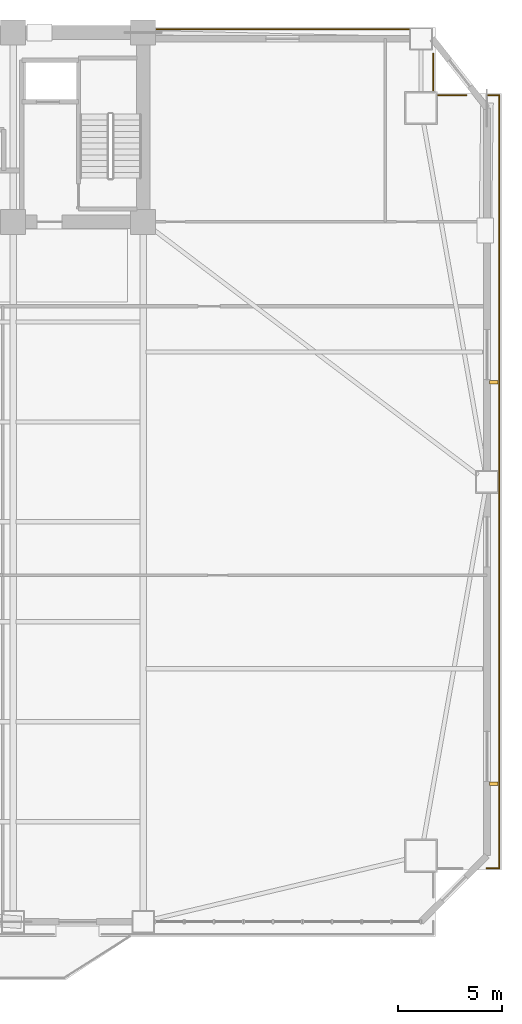
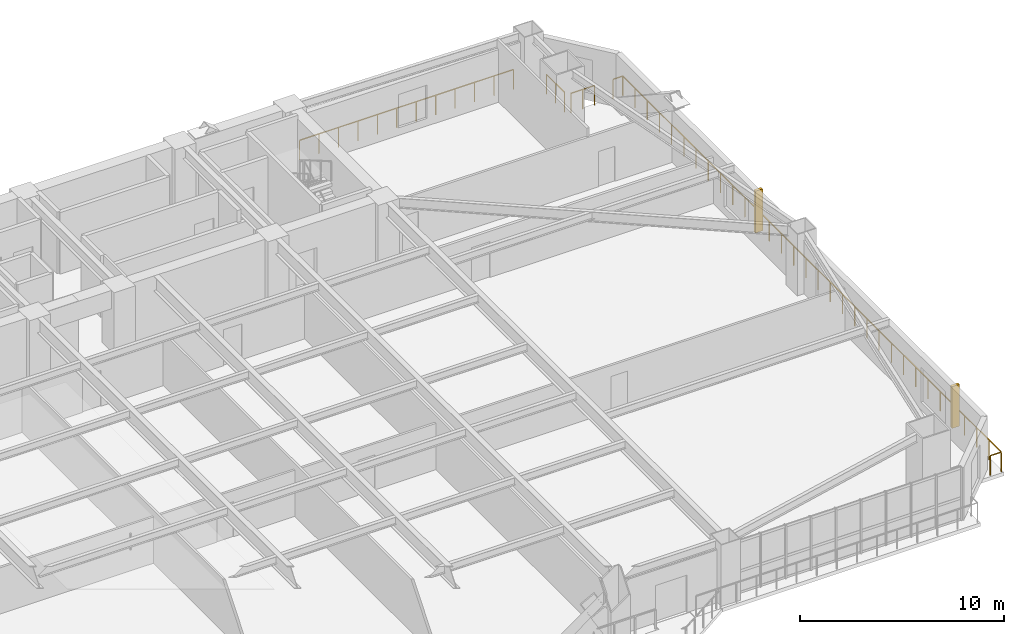
# One storey, part 17 of 17: 6 railings, 2 shading devices.
"""IFC4 building model written with IfcOpenShell, lengths in metres."""

import ifcopenshell
import ifcopenshell.guid

model = None  # the IFC model being written
_history = None  # IfcOwnerHistory: only IFC2X3 demands one
_inside = {}  # id of a spatial element -> (the spatial element, [elements in it])
_under = {}  # id of a project, library or spatial element -> (it, [spatial elements below it])
_declared = {}  # id of a project -> (the project, [libraries it declares])
_typed = {}  # id of a type object -> (the type object, [elements of that type])
_made_of = {}  # id of a material, layer set ... -> (it, [elements and type objects made of it])


def new_model(schema):
    """Start an empty IFC model of exactly this schema.

    Asked for "IFC4X3", IfcOpenShell would pick the latest addendum, in which some entities
    have other attributes; the version numbers below select the first issue.
    IFC2X3 requires an IfcOwnerHistory on every rooted entity: one is made here for all.
    """
    global model, _history
    if schema == "IFC4X3":
        model = ifcopenshell.file(schema_version=(4, 3, 0, 0))
    else:
        model = ifcopenshell.file(schema=schema)
    _inside.clear()
    _under.clear()
    _declared.clear()
    _typed.clear()
    _made_of.clear()
    _history = None
    if model.schema == "IFC2X3":
        org = make("IfcOrganization", Name="unknown")
        user = make(
            "IfcPersonAndOrganization",
            ThePerson=make("IfcPerson", FamilyName="unknown"),
            TheOrganization=org,
        )
        app = make(
            "IfcApplication",
            ApplicationDeveloper=org,
            Version="unknown",
            ApplicationFullName="unknown",
            ApplicationIdentifier="unknown",
        )
        _history = make(
            "IfcOwnerHistory",
            OwningUser=user,
            OwningApplication=app,
            ChangeAction="ADDED",
            CreationDate=0,
        )
    return model


def make(cls, **values):
    """One entity of the class cls with the attributes given. An attribute that is None is left unset."""
    return model.create_entity(
        cls, **{name: value for name, value in values.items() if value is not None}
    )


def rooted(cls, **values):
    """An entity with a GlobalId (a new one), such as an element, a storey or a relation."""
    return make(cls, GlobalId=ifcopenshell.guid.new(), OwnerHistory=_history, **values)


def si_unit(unit_type, name, prefix=None):
    """IfcSIUnit, for example si_unit("LENGTHUNIT", "METRE", prefix="MILLI")."""
    return make("IfcSIUnit", UnitType=unit_type, Prefix=prefix, Name=name)


def assignment(units):
    """IfcUnitAssignment: the units of a project."""
    return None if units is None else make("IfcUnitAssignment", Units=units)


def point(xyz):
    """IfcCartesianPoint."""
    return None if xyz is None else make("IfcCartesianPoint", Coordinates=xyz)


def direction(xyz):
    """IfcDirection."""
    return None if xyz is None else make("IfcDirection", DirectionRatios=xyz)


def frame(location, z_axis=None, x_axis=None):
    """IfcAxis2Placement3D, a coordinate frame: its origin and axes. An axis left out is left unset."""
    return make(
        "IfcAxis2Placement3D",
        Location=point(location),
        Axis=direction(z_axis),
        RefDirection=direction(x_axis),
    )


def frame_2d(location, x_axis=None):
    """IfcAxis2Placement2D, a coordinate frame in the plane: its origin and x axis."""
    return make(
        "IfcAxis2Placement2D", Location=point(location), RefDirection=direction(x_axis)
    )


def origin():
    """The frame at (0, 0, 0) with its axes left unset."""
    return frame((0.0, 0.0, 0.0))


def origin_2d():
    """The frame at (0, 0) in the plane with its x axis left unset."""
    return frame_2d((0.0, 0.0))


def place(relative_to, where):
    """IfcLocalPlacement: puts the frame where relative to a parent placement (None: the world)."""
    return make(
        "IfcLocalPlacement", PlacementRelTo=relative_to, RelativePlacement=where
    )


def context(
    kind, dimensions, precision=None, world=None, true_north=None, identifier=None
):
    """IfcGeometricRepresentationContext, for example the 3D "Model" context."""
    return make(
        "IfcGeometricRepresentationContext",
        ContextIdentifier=identifier,
        ContextType=kind,
        CoordinateSpaceDimension=dimensions,
        Precision=precision,
        WorldCoordinateSystem=world,
        TrueNorth=true_north,
    )


def subcontext(parent, identifier, kind, view, scale=None):
    """IfcGeometricRepresentationSubContext, for example "Body" below "Model"."""
    return make(
        "IfcGeometricRepresentationSubContext",
        ContextIdentifier=identifier,
        ContextType=kind,
        ParentContext=parent,
        TargetScale=scale,
        TargetView=view,
    )


def project(units=None, contexts=None):
    """IfcProject with its units and contexts."""
    return rooted(
        "IfcProject",
        Name="project",
        RepresentationContexts=contexts,
        UnitsInContext=assignment(units),
    )


def spatial(cls, under=None, at=None, **own):
    """A site, building, storey or space (cls), placed at a placement, below another one or the project."""
    s = rooted(cls, ObjectPlacement=at, **own)
    if under is not None:
        _under.setdefault(under.id(), (under, []))[1].append(s)
    return s


def profile(cls, at=None, kind="AREA", **sizes):
    """A parametric profile (cls). Its sizes go by their IFC names, for example OverallWidth=200.0."""
    return make(cls, ProfileType=kind, Position=at, **sizes)


def rectangle(**sizes):
    """IfcRectangleProfileDef."""
    return profile("IfcRectangleProfileDef", **sizes)


def extrude(swept, where, along, depth):
    """IfcExtrudedAreaSolid: the profile swept, set in the frame where, extruded along a direction by depth."""
    return make(
        "IfcExtrudedAreaSolid",
        SweptArea=swept,
        Position=where,
        ExtrudedDirection=direction(along),
        Depth=depth,
    )


def shape(context_of_items, identifier, shape_type, items):
    """IfcShapeRepresentation: the items that make up one representation, for example the "Body"."""
    return make(
        "IfcShapeRepresentation",
        ContextOfItems=context_of_items,
        RepresentationIdentifier=identifier,
        RepresentationType=shape_type,
        Items=items,
    )


def source(mapping_origin, context_of_items, identifier, shape_type, items):
    """IfcRepresentationMap: a shape defined once, which mapped items show again and again."""
    return make(
        "IfcRepresentationMap",
        MappingOrigin=mapping_origin,
        MappedRepresentation=shape(context_of_items, identifier, shape_type, items),
    )


def transform(
    local_origin,
    x_axis=None,
    y_axis=None,
    z_axis=None,
    scale=None,
    scale2=None,
    scale3=None,
    uniform=True,
):
    """IfcCartesianTransformationOperator3D, or its non-uniform kind. x_axis, y_axis, z_axis: its Axis1, 2, 3."""
    if uniform:
        return make(
            "IfcCartesianTransformationOperator3D",
            Axis1=direction(x_axis),
            Axis2=direction(y_axis),
            LocalOrigin=point(local_origin),
            Scale=scale,
            Axis3=direction(z_axis),
        )
    return make(
        "IfcCartesianTransformationOperator3DnonUniform",
        Axis1=direction(x_axis),
        Axis2=direction(y_axis),
        LocalOrigin=point(local_origin),
        Scale=scale,
        Axis3=direction(z_axis),
        Scale2=scale2,
        Scale3=scale3,
    )


def mapped(mapping_source, mapping_target):
    """IfcMappedItem: shows the shape of a source again, moved by a transform."""
    return make(
        "IfcMappedItem", MappingSource=mapping_source, MappingTarget=mapping_target
    )


def material(Name=None, Category=None):
    """IfcMaterial."""
    return make("IfcMaterial", Name=Name, Category=Category)


def made_of(thing, what):
    """Note that an element or type object is made of a material, layer set ...; save() writes the relation."""
    if what is not None:
        _made_of.setdefault(what.id(), (what, []))[1].append(thing)
    return thing


def type_object(cls, material=None, **own):
    """A type object (cls), such as IfcWallType, which elements share."""
    return made_of(rooted(cls, **own), material)


def element(
    cls,
    number,
    at=None,
    inside=None,
    cuts=None,
    type_object=None,
    material=None,
    context=None,
    identifier="Body",
    shape_type=None,
    held_by="IfcProductDefinitionShape",
    body=None,
    shapes=None,
    **own,
):
    """One element of the class cls, such as IfcWall. Its Tag is "e" and its number.

    at: its placement. inside: the storey or other place that contains it. cuts: it is an
    opening in that element (IfcRelVoidsElement). A single representation is given by context,
    identifier, shape_type and body (its items); several are given by shapes. held_by: the class
    of the entity that holds the representations. save() writes the other relations.
    """
    e = rooted(cls, Tag="e%d" % number, ObjectPlacement=at, **own)
    if body is not None:
        shapes = [shape(context, identifier, shape_type, body)]
    if shapes is not None:
        e.Representation = make(held_by, Representations=shapes)
    if inside is not None:
        _inside.setdefault(inside.id(), (inside, []))[1].append(e)
    if cuts is not None:
        rooted(
            "IfcRelVoidsElement", RelatingBuildingElement=cuts, RelatedOpeningElement=e
        )
    if type_object is not None:
        _typed.setdefault(type_object.id(), (type_object, []))[1].append(e)
    return made_of(e, material)


def aggregate(whole, parts):
    """IfcRelAggregates: a whole, such as a stair, and the parts it consists of."""
    return rooted("IfcRelAggregates", RelatingObject=whole, RelatedObjects=parts)


def save(model, path):
    """Write the relations noted so far, then the file.

    IfcRelAggregates (storeys below a building ...), IfcRelContainedInSpatialStructure (elements
    in a storey), IfcRelDefinesByType, IfcRelAssociatesMaterial and IfcRelDeclares: one each for
    every whole, place, type object, material and project.
    """
    for whole, parts in _under.values():
        aggregate(whole, parts)
    for where, things in _inside.values():
        rooted(
            "IfcRelContainedInSpatialStructure",
            RelatedElements=things,
            RelatingStructure=where,
        )
    for kind, things in _typed.values():
        rooted("IfcRelDefinesByType", RelatedObjects=things, RelatingType=kind)
    for what, things in _made_of.values():
        rooted("IfcRelAssociatesMaterial", RelatedObjects=things, RelatingMaterial=what)
    for by, libraries in _declared.values():
        rooted("IfcRelDeclares", RelatingContext=by, RelatedDefinitions=libraries)
    model.write(path)


model = new_model("IFC4")

# Units and contexts
model_context = context("Model", 3, precision=1e-05, world=origin(), true_north=direction((0.0, 1.0)))
body_context = subcontext(model_context, "Body", "Model", "MODEL_VIEW")
ifc_project = project(units=[si_unit("LENGTHUNIT", "METRE"), si_unit("AREAUNIT", "SQUARE_METRE"), si_unit("VOLUMEUNIT", "CUBIC_METRE"), si_unit("PLANEANGLEUNIT", "RADIAN"), si_unit("MASSUNIT", "GRAM", prefix="KILO")], contexts=[model_context])

# Site, building, storey
site_placement = place(None, origin())
site = spatial("IfcSite", under=ifc_project, at=site_placement, CompositionType="ELEMENT")
building_placement = place(site_placement, origin())
building = spatial("IfcBuilding", under=site, at=building_placement, Name="Giltprow Tower", CompositionType="ELEMENT")
storey_placement = place(building_placement, frame((0.0, 0.0, 37.10009765625)))
storey = spatial("IfcBuildingStorey", under=building, at=storey_placement, Name="L09", CompositionType="ELEMENT", Elevation=37.10009765625)

# Railings
ifc_material = material(Name="Anodized bronze", Category="metal")
railing_type = type_object("IfcRailingType", Name="RAIL-BALC-GUARD-1200", PredefinedType="BALUSTRADE", material=ifc_material)
railing_1_placement = place(storey_placement, frame((51.18505859375, 46.699951171875, 0.0)))
element("IfcRailing", 1, at=railing_1_placement, inside=storey, type_object=railing_type, Name="L09 Corner Apron Edge Balustrade 10", PredefinedType="BALUSTRADE", context=body_context, shape_type="SweptSolid", body=[
    extrude(rectangle(XDim=0.048095703125, YDim=0.048095703125, at=origin_2d()), frame((0.0, 0.0, 1.17578125), z_axis=(1.0, 0.0, 0.0), x_axis=(0.0, 1.0, 0.0)), (0.0, 0.0, 1.0), 12.120849609375),
    extrude(rectangle(XDim=0.0419921875, YDim=0.0419921875, at=origin_2d()), origin(), (0.0, 0.0, 1.0), 1.15185546875),
    extrude(rectangle(XDim=0.0419921875, YDim=0.0419921875, at=origin_2d()), frame((1.101806640625, 0.0, 0.0)), (0.0, 0.0, 1.0), 1.15185546875),
    extrude(rectangle(XDim=0.0419921875, YDim=0.0419921875, at=origin_2d()), frame((2.203857421875, 0.0, 0.0)), (0.0, 0.0, 1.0), 1.15185546875),
    extrude(rectangle(XDim=0.0419921875, YDim=0.0419921875, at=origin_2d()), frame((3.3056640625, 0.0, 0.0)), (0.0, 0.0, 1.0), 1.15185546875),
    extrude(rectangle(XDim=0.0419921875, YDim=0.0419921875, at=origin_2d()), frame((4.407470703125, 0.0, 0.0)), (0.0, 0.0, 1.0), 1.15185546875),
    extrude(rectangle(XDim=0.0419921875, YDim=0.0419921875, at=origin_2d()), frame((5.509521484375, 0.0, 0.0)), (0.0, 0.0, 1.0), 1.15185546875),
    extrude(rectangle(XDim=0.0419921875, YDim=0.0419921875, at=origin_2d()), frame((6.611328125, 0.0, 0.0)), (0.0, 0.0, 1.0), 1.15185546875),
    extrude(rectangle(XDim=0.0419921875, YDim=0.0419921875, at=origin_2d()), frame((7.71337890625, 0.0, 0.0)), (0.0, 0.0, 1.0), 1.15185546875),
    extrude(rectangle(XDim=0.0419921875, YDim=0.0419921875, at=origin_2d()), frame((8.815185546875, 0.0, 0.0)), (0.0, 0.0, 1.0), 1.15185546875),
    extrude(rectangle(XDim=0.0419921875, YDim=0.0419921875, at=origin_2d()), frame((9.9169921875, 0.0, 0.0)), (0.0, 0.0, 1.0), 1.15185546875),
    extrude(rectangle(XDim=0.0419921875, YDim=0.0419921875, at=origin_2d()), frame((11.01904296875, 0.0, 0.0)), (0.0, 0.0, 1.0), 1.15185546875),
    extrude(rectangle(XDim=0.0419921875, YDim=0.0419921875, at=origin_2d()), frame((12.120849609375, 0.0, 0.0)), (0.0, 0.0, 1.0), 1.15185546875),
])
railing_2_placement = place(storey_placement, frame((64.490966796875, 45.52490234375, 0.0)))
element("IfcRailing", 2, at=railing_2_placement, inside=storey, type_object=railing_type, Name="L09 Corner Apron Edge Balustrade 11", PredefinedType="BALUSTRADE", context=body_context, shape_type="SweptSolid", body=[
    extrude(rectangle(XDim=0.048095703125, YDim=0.048095703125, at=origin_2d()), frame((0.0, 0.0, 1.17578125), z_axis=(0.0, -1.0, 0.0), x_axis=(1.0, 0.0, 0.0)), (0.0, 0.0, 1.0), 1.763916015625),
    extrude(rectangle(XDim=0.0419921875, YDim=0.0419921875, at=origin_2d()), origin(), (0.0, 0.0, 1.0), 1.15185546875),
    extrude(rectangle(XDim=0.0419921875, YDim=0.0419921875, at=origin_2d()), frame((0.0, -0.8818359375, 0.0)), (0.0, 0.0, 1.0), 1.15185546875),
    extrude(rectangle(XDim=0.0419921875, YDim=0.0419921875, at=origin_2d()), frame((0.0, -1.763916015625, 0.0)), (0.0, 0.0, 1.0), 1.15185546875),
])
railing_3_placement = place(storey_placement, frame((64.72607421875, 43.52587890625, 0.0)))
element("IfcRailing", 3, at=railing_3_placement, inside=storey, type_object=railing_type, Name="L09 Corner Apron Edge Balustrade 12", PredefinedType="BALUSTRADE", context=body_context, shape_type="SweptSolid", body=[
    extrude(rectangle(XDim=0.048095703125, YDim=0.048095703125, at=origin_2d()), frame((0.0, 0.0, 1.17578125), z_axis=(1.0, 0.0, 0.0), x_axis=(0.0, 1.0, 0.0)), (0.0, 0.0, 1.0), 1.343017578125),
    extrude(rectangle(XDim=0.0419921875, YDim=0.0419921875, at=origin_2d()), origin(), (0.0, 0.0, 1.0), 1.15185546875),
    extrude(rectangle(XDim=0.0419921875, YDim=0.0419921875, at=origin_2d()), frame((0.67138671875, 0.0, 0.0)), (0.0, 0.0, 1.0), 1.15185546875),
    extrude(rectangle(XDim=0.0419921875, YDim=0.0419921875, at=origin_2d()), frame((1.343017578125, 0.0, 0.0)), (0.0, 0.0, 1.0), 1.15185546875),
])
railing_4_placement = place(storey_placement, frame((67.114013671875, 43.52587890625, 0.0)))
element("IfcRailing", 4, at=railing_4_placement, inside=storey, type_object=railing_type, Name="L09 Corner Apron Edge Balustrade 13", PredefinedType="BALUSTRADE", context=body_context, shape_type="SweptSolid", body=[
    extrude(rectangle(XDim=0.048095703125, YDim=0.048095703125, at=origin_2d()), frame((0.0, 0.0, 1.17578125), z_axis=(1.0, 0.0, 0.0), x_axis=(0.0, 1.0, 0.0)), (0.0, 0.0, 1.0), 0.551025390625),
    extrude(rectangle(XDim=0.0419921875, YDim=0.0419921875, at=origin_2d()), origin(), (0.0, 0.0, 1.0), 1.15185546875),
    extrude(rectangle(XDim=0.0419921875, YDim=0.0419921875, at=origin_2d()), frame((0.551025390625, 0.0, 0.0)), (0.0, 0.0, 1.0), 1.15185546875),
])
railing_5_placement = place(storey_placement, frame((67.6650390625, 43.52587890625, 0.0)))
element("IfcRailing", 5, at=railing_5_placement, inside=storey, type_object=railing_type, Name="L09 Corner Apron Edge Balustrade 14", PredefinedType="BALUSTRADE", context=body_context, shape_type="SweptSolid", body=[
    extrude(rectangle(XDim=0.048095703125, YDim=0.048095703125, at=origin_2d()), frame((0.0, 0.0, 1.17578125), z_axis=(0.0, -1.0, 0.0), x_axis=(1.0, 0.0, 0.0)), (0.0, 0.0, 1.0), 37.1259765625),
    extrude(rectangle(XDim=0.0419921875, YDim=0.0419921875, at=origin_2d()), origin(), (0.0, 0.0, 1.0), 1.15185546875),
    extrude(rectangle(XDim=0.0419921875, YDim=0.0419921875, at=origin_2d()), frame((0.0, -1.197509765625, 0.0)), (0.0, 0.0, 1.0), 1.15185546875),
    extrude(rectangle(XDim=0.0419921875, YDim=0.0419921875, at=origin_2d()), frame((0.0, -2.395263671875, 0.0)), (0.0, 0.0, 1.0), 1.15185546875),
    extrude(rectangle(XDim=0.0419921875, YDim=0.0419921875, at=origin_2d()), frame((0.0, -3.5927734375, 0.0)), (0.0, 0.0, 1.0), 1.15185546875),
    extrude(rectangle(XDim=0.0419921875, YDim=0.0419921875, at=origin_2d()), frame((0.0, -4.79052734375, 0.0)), (0.0, 0.0, 1.0), 1.15185546875),
    extrude(rectangle(XDim=0.0419921875, YDim=0.0419921875, at=origin_2d()), frame((0.0, -5.988037109375, 0.0)), (0.0, 0.0, 1.0), 1.15185546875),
    extrude(rectangle(XDim=0.0419921875, YDim=0.0419921875, at=origin_2d()), frame((0.0, -7.185791015625, 0.0)), (0.0, 0.0, 1.0), 1.15185546875),
    extrude(rectangle(XDim=0.0419921875, YDim=0.0419921875, at=origin_2d()), frame((0.0, -8.38330078125, 0.0)), (0.0, 0.0, 1.0), 1.15185546875),
    extrude(rectangle(XDim=0.0419921875, YDim=0.0419921875, at=origin_2d()), frame((0.0, -9.580810546875, 0.0)), (0.0, 0.0, 1.0), 1.15185546875),
    extrude(rectangle(XDim=0.0419921875, YDim=0.0419921875, at=origin_2d()), frame((0.0, -10.778564453125, 0.0)), (0.0, 0.0, 1.0), 1.15185546875),
    extrude(rectangle(XDim=0.0419921875, YDim=0.0419921875, at=origin_2d()), frame((0.0, -11.97607421875, 0.0)), (0.0, 0.0, 1.0), 1.15185546875),
    extrude(rectangle(XDim=0.0419921875, YDim=0.0419921875, at=origin_2d()), frame((0.0, -13.173828125, 0.0)), (0.0, 0.0, 1.0), 1.15185546875),
    extrude(rectangle(XDim=0.0419921875, YDim=0.0419921875, at=origin_2d()), frame((0.0, -14.371337890625, 0.0)), (0.0, 0.0, 1.0), 1.15185546875),
    extrude(rectangle(XDim=0.0419921875, YDim=0.0419921875, at=origin_2d()), frame((0.0, -15.56884765625, 0.0)), (0.0, 0.0, 1.0), 1.15185546875),
    extrude(rectangle(XDim=0.0419921875, YDim=0.0419921875, at=origin_2d()), frame((0.0, -16.7666015625, 0.0)), (0.0, 0.0, 1.0), 1.15185546875),
    extrude(rectangle(XDim=0.0419921875, YDim=0.0419921875, at=origin_2d()), frame((0.0, -17.964111328125, 0.0)), (0.0, 0.0, 1.0), 1.15185546875),
    extrude(rectangle(XDim=0.0419921875, YDim=0.0419921875, at=origin_2d()), frame((0.0, -19.161865234375, 0.0)), (0.0, 0.0, 1.0), 1.15185546875),
    extrude(rectangle(XDim=0.0419921875, YDim=0.0419921875, at=origin_2d()), frame((0.0, -20.359375, 0.0)), (0.0, 0.0, 1.0), 1.15185546875),
    extrude(rectangle(XDim=0.0419921875, YDim=0.0419921875, at=origin_2d()), frame((0.0, -21.55712890625, 0.0)), (0.0, 0.0, 1.0), 1.15185546875),
    extrude(rectangle(XDim=0.0419921875, YDim=0.0419921875, at=origin_2d()), frame((0.0, -22.754638671875, 0.0)), (0.0, 0.0, 1.0), 1.15185546875),
    extrude(rectangle(XDim=0.0419921875, YDim=0.0419921875, at=origin_2d()), frame((0.0, -23.9521484375, 0.0)), (0.0, 0.0, 1.0), 1.15185546875),
    extrude(rectangle(XDim=0.0419921875, YDim=0.0419921875, at=origin_2d()), frame((0.0, -25.14990234375, 0.0)), (0.0, 0.0, 1.0), 1.15185546875),
    extrude(rectangle(XDim=0.0419921875, YDim=0.0419921875, at=origin_2d()), frame((0.0, -26.347412109375, 0.0)), (0.0, 0.0, 1.0), 1.15185546875),
    extrude(rectangle(XDim=0.0419921875, YDim=0.0419921875, at=origin_2d()), frame((0.0, -27.545166015625, 0.0)), (0.0, 0.0, 1.0), 1.15185546875),
    extrude(rectangle(XDim=0.0419921875, YDim=0.0419921875, at=origin_2d()), frame((0.0, -28.74267578125, 0.0)), (0.0, 0.0, 1.0), 1.15185546875),
    extrude(rectangle(XDim=0.0419921875, YDim=0.0419921875, at=origin_2d()), frame((0.0, -29.940185546875, 0.0)), (0.0, 0.0, 1.0), 1.15185546875),
    extrude(rectangle(XDim=0.0419921875, YDim=0.0419921875, at=origin_2d()), frame((0.0, -31.137939453125, 0.0)), (0.0, 0.0, 1.0), 1.15185546875),
    extrude(rectangle(XDim=0.0419921875, YDim=0.0419921875, at=origin_2d()), frame((0.0, -32.33544921875, 0.0)), (0.0, 0.0, 1.0), 1.15185546875),
    extrude(rectangle(XDim=0.0419921875, YDim=0.0419921875, at=origin_2d()), frame((0.0, -33.533203125, 0.0)), (0.0, 0.0, 1.0), 1.15185546875),
    extrude(rectangle(XDim=0.0419921875, YDim=0.0419921875, at=origin_2d()), frame((0.0, -34.730712890625, 0.0)), (0.0, 0.0, 1.0), 1.15185546875),
    extrude(rectangle(XDim=0.0419921875, YDim=0.0419921875, at=origin_2d()), frame((0.0, -35.928466796875, 0.0)), (0.0, 0.0, 1.0), 1.15185546875),
    extrude(rectangle(XDim=0.0419921875, YDim=0.0419921875, at=origin_2d()), frame((0.0, -37.1259765625, 0.0)), (0.0, 0.0, 1.0), 1.15185546875),
])
railing_6_placement = place(storey_placement, frame((67.6650390625, 6.39990234375, 0.0)))
element("IfcRailing", 6, at=railing_6_placement, inside=storey, type_object=railing_type, Name="L09 Corner Apron Edge Balustrade 15", PredefinedType="BALUSTRADE", context=body_context, shape_type="SweptSolid", body=[
    extrude(rectangle(XDim=0.048095703125, YDim=0.048095703125, at=origin_2d()), frame((0.0, 0.0, 1.17578125), z_axis=(-1.0, 0.0, 0.0), x_axis=(0.0, -1.0, 0.0)), (0.0, 0.0, 1.0), 0.62109375),
    extrude(rectangle(XDim=0.0419921875, YDim=0.0419921875, at=origin_2d()), origin(), (0.0, 0.0, 1.0), 1.15185546875),
    extrude(rectangle(XDim=0.0419921875, YDim=0.0419921875, at=origin_2d()), frame((-0.62109375, 0.0, 0.0)), (0.0, 0.0, 1.0), 1.15185546875),
])

# Shading devices
shading_device_type = type_object("IfcShadingDeviceType", Name="SHD-FIN-420", PredefinedType="USERDEFINED", material=ifc_material)
shared_shape = source(origin(), body_context, "Body", "SweptSolid", [
    extrude(rectangle(XDim=0.419921875, YDim=0.159912109375, at=origin_2d()), origin(), (0.0, 0.0, 1.0), 2.5),
])
for number, where, z_axis, x_axis, name in (
    (7, (67.385009765625, 10.447998046875, 0.349853515625), (0.0, 0.0, 1.0), (1.0, 0.0, 0.0), "L09 E Bronze Vertical Fin 1-1"),
    (8, (67.385009765625, 29.7490234375, 0.349853515625), (0.0, 0.0, 1.0), (1.0, 0.0, 0.0), "L09 E Bronze Vertical Fin 2-1"),
):
    element("IfcShadingDevice", number, at=place(storey_placement, frame(where, z_axis=z_axis, x_axis=x_axis)), inside=storey, type_object=shading_device_type, Name=name, ObjectType="FIN", PredefinedType="USERDEFINED", context=body_context, shape_type="MappedRepresentation", body=[
        mapped(shared_shape, transform((0.0, 0.0, 0.0), x_axis=(1.0, 0.0, 0.0), y_axis=(0.0, 1.0, 0.0), z_axis=(0.0, 0.0, 1.0), scale=1.0)),
    ])

save(model, "model.ifc")
